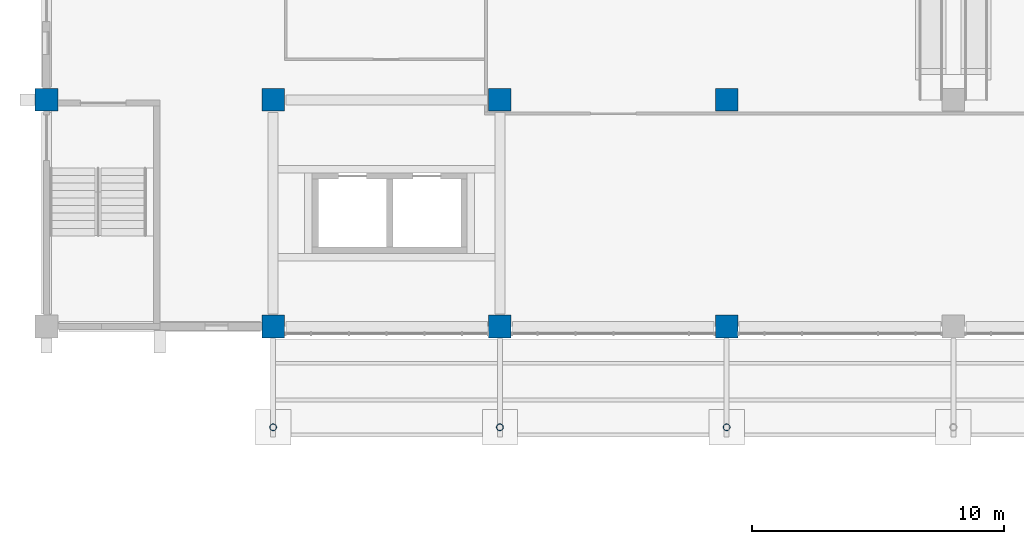
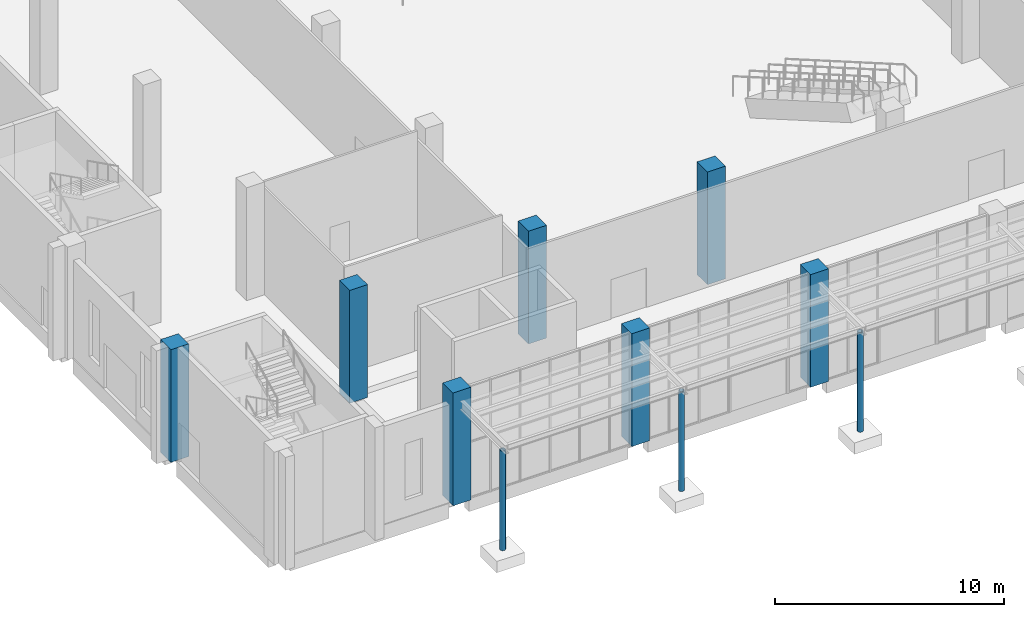
# One storey, part 2 of 86: 10 columns.
"""IFC4 building model written with IfcOpenShell, lengths in metres."""

from ifc_helpers import new_model, si_unit, direction, frame, origin, origin_2d, place, context, subcontext, project, spatial, rectangle, hollow_circle, extrude, material, material_profile, profile_set, type_object, element, save


model = new_model("IFC4")

# Units and contexts
model_context = context("Model", 3, precision=1e-05, world=origin(), true_north=direction((0.0, 1.0)))
body_context = subcontext(model_context, "Body", "Model", "MODEL_VIEW")
ifc_project = project(units=[si_unit("LENGTHUNIT", "METRE"), si_unit("AREAUNIT", "SQUARE_METRE"), si_unit("VOLUMEUNIT", "CUBIC_METRE"), si_unit("PLANEANGLEUNIT", "RADIAN"), si_unit("MASSUNIT", "GRAM", prefix="KILO")], contexts=[model_context])

# Site, building, storey
site_placement = place(None, origin())
site = spatial("IfcSite", under=ifc_project, at=site_placement, CompositionType="ELEMENT")
building_placement = place(site_placement, origin())
building = spatial("IfcBuilding", under=site, at=building_placement, Name="Guidao Yard Department Store", CompositionType="ELEMENT")
storey_placement = place(building_placement, origin())
storey = spatial("IfcBuildingStorey", under=building, at=storey_placement, Name="L00", CompositionType="ELEMENT", Elevation=0.0)

# Columns
ifc_material_1 = material(Name="Concrete C50", Category="concrete")
ifc_material_profile_1 = material_profile(ifc_material_1, rectangle(XDim=0.89990234375, YDim=0.89990234375, at=origin_2d()), Name="COL 900x900")
ifc_profile_set_1 = profile_set([ifc_material_profile_1], Name="Concrete C50")
column_type_1 = type_object("IfcColumnType", Name="Column 900x900 C50", PredefinedType="COLUMN", material=ifc_profile_set_1)
for number, where, z_axis, x_axis, name in (
    (1, (9.0, 45.0, 0.0), (0.0, 0.0, 1.0), (1.0, 0.0, 0.0), "Column 2/F L00"),
    (2, (18.0, 45.0, 0.0), (0.0, 0.0, 1.0), (1.0, 0.0, 0.0), "Column 3/F L00"),
    (3, (27.0, 45.0, 0.0), (0.0, 0.0, 1.0), (1.0, 0.0, 0.0), "Column 4/F L00"),
    (4, (0.0, 54.0, 0.0), (0.0, 0.0, 1.0), (1.0, 0.0, 0.0), "Column 1/G L00"),
    (5, (9.0, 54.0, 0.0), (0.0, 0.0, 1.0), (1.0, 0.0, 0.0), "Column 2/G L00"),
    (6, (18.0, 54.0, 0.0), (0.0, 0.0, 1.0), (1.0, 0.0, 0.0), "Column 3/G L00"),
    (7, (27.0, 54.0, 0.0), (0.0, 0.0, 1.0), (1.0, 0.0, 0.0), "Column 4/G L00"),
):
    element("IfcColumn", number, at=place(storey_placement, frame(where, z_axis=z_axis, x_axis=x_axis)), inside=storey, type_object=column_type_1, Name=name, PredefinedType="COLUMN", context=body_context, shape_type="SweptSolid", body=[
        extrude(rectangle(XDim=0.89990234375, YDim=0.89990234375, at=origin_2d()), origin(), (0.0, 0.0, 1.0), 6.0),
    ])
ifc_material_2 = material(Name="Steel Q355B", Category="steel")
ifc_material_profile_2 = material_profile(ifc_material_2, hollow_circle(Radius=0.136474609375, WallThickness=0.011962890625, at=origin_2d()), Name="CHS 273x12")
ifc_profile_set_2 = profile_set([ifc_material_profile_2], Name="Steel Q355B")
column_type_2 = type_object("IfcColumnType", Name="Walkway post CHS 273x12", PredefinedType="COLUMN", material=ifc_profile_set_2)
for number, where, z_axis, x_axis, name in (
    (8, (9.0, 41.0, -0.300048828125), (0.0, 0.0, 1.0), (1.0, 0.0, 0.0), "Canopy post EC-1"),
    (9, (18.0, 41.0, -0.300048828125), (0.0, 0.0, 1.0), (1.0, 0.0, 0.0), "Canopy post EC-2"),
    (10, (27.0, 41.0, -0.300048828125), (0.0, 0.0, 1.0), (1.0, 0.0, 0.0), "Canopy post EC-3"),
):
    element("IfcColumn", number, at=place(storey_placement, frame(where, z_axis=z_axis, x_axis=x_axis)), inside=storey, type_object=column_type_2, Name=name, PredefinedType="COLUMN", context=body_context, shape_type="SweptSolid", body=[
        extrude(hollow_circle(Radius=0.136474609375, WallThickness=0.011962890625, at=origin_2d()), origin(), (0.0, 0.0, 1.0), 5.300048828125),
    ])

save(model, "model.ifc")
